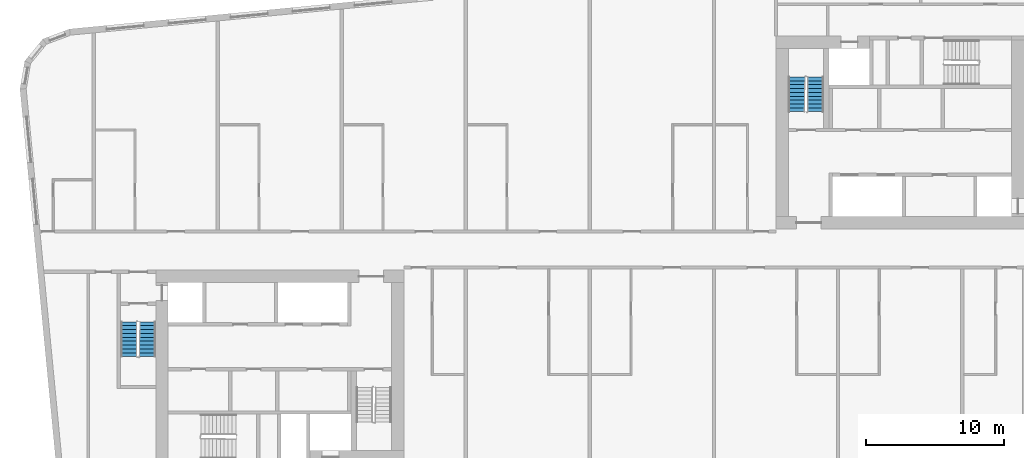
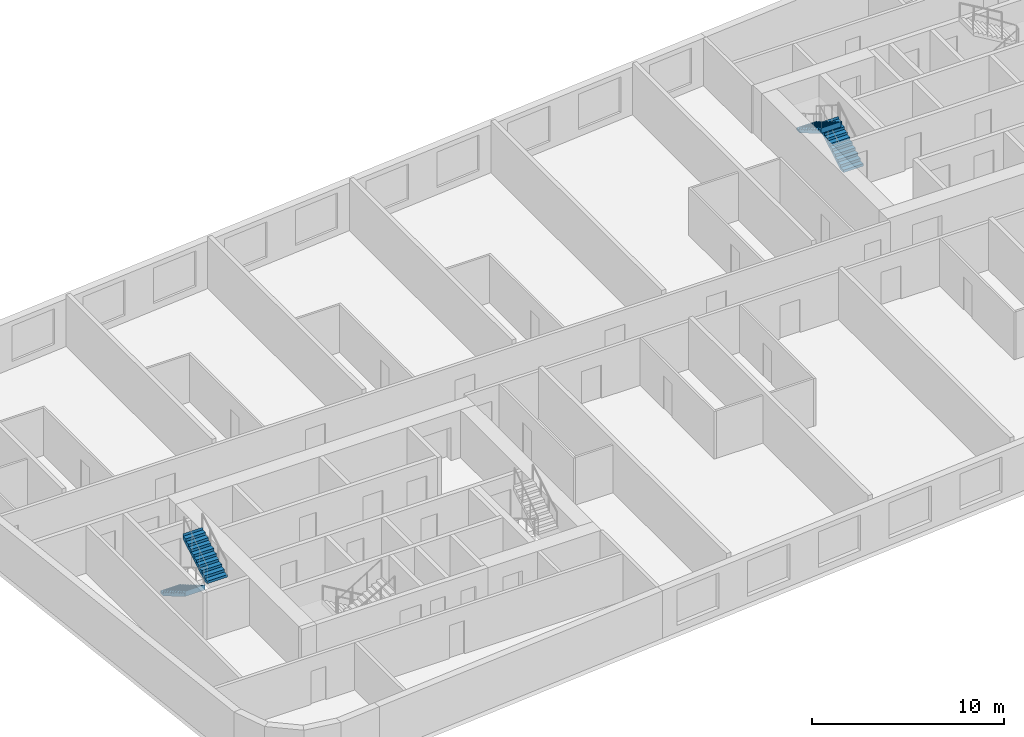
# One storey, part 9 of 11: 4 stair flights, 2 elements without a shape of their own.
"""IFC4 building model written with IfcOpenShell, lengths in metres."""

from ifc_helpers import new_model, si_unit, direction, frame, origin, place, context, subcontext, project, spatial, faceted_brep, material, type_object, element, aggregate, save


model = new_model("IFC4")

# Units and contexts
model_context = context("Model", 3, precision=1e-05, world=origin(), true_north=direction((0.0, 1.0)))
body_context = subcontext(model_context, "Body", "Model", "MODEL_VIEW")
ifc_project = project(units=[si_unit("LENGTHUNIT", "METRE"), si_unit("AREAUNIT", "SQUARE_METRE"), si_unit("VOLUMEUNIT", "CUBIC_METRE"), si_unit("PLANEANGLEUNIT", "RADIAN"), si_unit("MASSUNIT", "GRAM", prefix="KILO")], contexts=[model_context])

# Site, building, storey
site_placement = place(None, origin())
site = spatial("IfcSite", under=ifc_project, at=site_placement, CompositionType="ELEMENT")
building_placement = place(site_placement, origin())
building = spatial("IfcBuilding", under=site, at=building_placement, Name="Kajstack Hotel Tower", CompositionType="ELEMENT")
storey_placement = place(building_placement, frame((0.0, 0.0, 271.800048828125)))
storey = spatial("IfcBuildingStorey", under=building, at=storey_placement, Name="L67", CompositionType="ELEMENT", Elevation=271.800048828125)

# Stair, stair flights
ifc_material = material(Name="Concrete C40/50", Category="concrete")
stair_type = type_object("IfcStairType", Name="Exit stair 1200", PredefinedType="HALF_TURN_STAIR", material=ifc_material)
stair_1_placement = place(storey_placement, origin())
stair_1 = element("IfcStair", 1, at=stair_1_placement, inside=storey, type_object=stair_type, Name="L67 stair W1", PredefinedType="HALF_TURN_STAIR")
stair_flight_type = type_object("IfcStairFlightType", Name="Exit stair flight 1200", PredefinedType="STRAIGHT", material=ifc_material)
stair_flight_1_placement = place(storey_placement, frame((-33.449951171875, -5.25, 0.0), z_axis=(0.0, 0.0, 1.0), x_axis=(0.0, -1.0, 0.0)))
stair_flight_1 = element("IfcStairFlight", 2, at=stair_flight_1_placement, type_object=stair_flight_type, Name="W1 flight 1", NumberOfRisers=10, NumberOfTreads=9, PredefinedType="STRAIGHT", RiserHeight=0.165, TreadLength=0.28, context=body_context, shape_type="Brep", body=[
    faceted_brep([(0.295654296875, -0.60009765625, 0.0), (2.5205078125, -0.60009765625, 1.31103515625), (2.5205078125, -0.60009765625, 1.64990234375), (2.52001953125, -0.60009765625, 1.64990234375), (2.52001953125, -0.60009765625, 1.485107421875), (2.239990234375, -0.60009765625, 1.485107421875), (2.239990234375, -0.60009765625, 1.320068359375), (1.9599609375, -0.60009765625, 1.320068359375), (1.9599609375, -0.60009765625, 1.155029296875), (1.679931640625, -0.60009765625, 1.155029296875), (1.679931640625, -0.60009765625, 0.989990234375), (1.39990234375, -0.60009765625, 0.989990234375), (1.39990234375, -0.60009765625, 0.824951171875), (1.1201171875, -0.60009765625, 0.824951171875), (1.1201171875, -0.60009765625, 0.659912109375), (0.840087890625, -0.60009765625, 0.659912109375), (0.840087890625, -0.60009765625, 0.4951171875), (0.56005859375, -0.60009765625, 0.4951171875), (0.56005859375, -0.60009765625, 0.330078125), (0.280029296875, -0.60009765625, 0.330078125), (0.280029296875, -0.60009765625, 0.1650390625), (-0.00048828125, -0.60009765625, 0.1650390625), (-0.00048828125, -0.60009765625, 0.0), (-0.00048828125, 0.60009765625, 0.0), (-0.00048828125, 0.60009765625, 0.1650390625), (0.280029296875, 0.60009765625, 0.1650390625), (0.280029296875, 0.60009765625, 0.330078125), (0.56005859375, 0.60009765625, 0.330078125), (0.56005859375, 0.60009765625, 0.4951171875), (0.840087890625, 0.60009765625, 0.4951171875), (0.840087890625, 0.60009765625, 0.659912109375), (1.1201171875, 0.60009765625, 0.659912109375), (1.1201171875, 0.60009765625, 0.824951171875), (1.39990234375, 0.60009765625, 0.824951171875), (1.39990234375, 0.60009765625, 0.989990234375), (1.679931640625, 0.60009765625, 0.989990234375), (1.679931640625, 0.60009765625, 1.155029296875), (1.9599609375, 0.60009765625, 1.155029296875), (1.9599609375, 0.60009765625, 1.320068359375), (2.239990234375, 0.60009765625, 1.320068359375), (2.239990234375, 0.60009765625, 1.485107421875), (2.52001953125, 0.60009765625, 1.485107421875), (2.52001953125, 0.60009765625, 1.64990234375), (2.5205078125, 0.60009765625, 1.64990234375), (2.5205078125, 0.60009765625, 1.31103515625), (0.295654296875, 0.60009765625, 0.0), (-0.00048828125, -0.300048828125, 0.1650390625), (-0.00048828125, 0.0, 0.1650390625), (-0.00048828125, 0.300048828125, 0.1650390625), (-0.00048828125, 0.300048828125, 0.0), (-0.00048828125, 0.0, 0.0), (-0.00048828125, -0.300048828125, 0.0), (0.280029296875, -0.300048828125, 0.1650390625), (0.280029296875, 0.0, 0.1650390625), (0.280029296875, 0.300048828125, 0.1650390625), (0.280029296875, -0.300048828125, 0.330078125), (0.280029296875, 0.0, 0.330078125), (0.280029296875, 0.300048828125, 0.330078125), (0.56005859375, -0.300048828125, 0.330078125), (0.56005859375, 0.0, 0.330078125), (0.56005859375, 0.300048828125, 0.330078125), (0.56005859375, -0.300048828125, 0.4951171875), (0.56005859375, 0.0, 0.4951171875), (0.56005859375, 0.300048828125, 0.4951171875), (0.840087890625, -0.300048828125, 0.4951171875), (0.840087890625, 0.0, 0.4951171875), (0.840087890625, 0.300048828125, 0.4951171875), (0.840087890625, -0.300048828125, 0.659912109375), (0.840087890625, 0.0, 0.659912109375), (0.840087890625, 0.300048828125, 0.659912109375), (1.1201171875, -0.300048828125, 0.659912109375), (1.1201171875, 0.0, 0.659912109375), (1.1201171875, 0.300048828125, 0.659912109375), (1.1201171875, -0.300048828125, 0.824951171875), (1.1201171875, 0.0, 0.824951171875), (1.1201171875, 0.300048828125, 0.824951171875), (1.39990234375, -0.300048828125, 0.824951171875), (1.39990234375, 0.0, 0.824951171875), (1.39990234375, 0.300048828125, 0.824951171875), (1.39990234375, -0.300048828125, 0.989990234375), (1.39990234375, 0.0, 0.989990234375), (1.39990234375, 0.300048828125, 0.989990234375), (1.679931640625, -0.300048828125, 0.989990234375), (1.679931640625, 0.0, 0.989990234375), (1.679931640625, 0.300048828125, 0.989990234375), (1.679931640625, -0.300048828125, 1.155029296875), (1.679931640625, 0.0, 1.155029296875), (1.679931640625, 0.300048828125, 1.155029296875), (1.9599609375, -0.300048828125, 1.155029296875), (1.9599609375, 0.0, 1.155029296875), (1.9599609375, 0.300048828125, 1.155029296875), (1.9599609375, -0.300048828125, 1.320068359375), (1.9599609375, 0.0, 1.320068359375), (1.9599609375, 0.300048828125, 1.320068359375), (2.239990234375, -0.300048828125, 1.320068359375), (2.239990234375, 0.0, 1.320068359375), (2.239990234375, 0.300048828125, 1.320068359375), (2.239990234375, -0.300048828125, 1.485107421875), (2.239990234375, 0.0, 1.485107421875), (2.239990234375, 0.300048828125, 1.485107421875), (2.52001953125, -0.300048828125, 1.485107421875), (2.52001953125, 0.0, 1.485107421875), (2.52001953125, 0.300048828125, 1.485107421875), (2.52001953125, -0.300048828125, 1.64990234375), (2.52001953125, 0.0, 1.64990234375), (2.52001953125, 0.300048828125, 1.64990234375), (2.5205078125, -0.300048828125, 1.64990234375), (2.5205078125, 0.0, 1.64990234375), (2.5205078125, 0.300048828125, 1.64990234375), (2.5205078125, -0.300048828125, 1.31103515625), (2.5205078125, 0.0, 1.31103515625), (2.5205078125, 0.300048828125, 1.31103515625), (0.295654296875, -0.300048828125, 0.0), (0.295654296875, 0.0, 0.0), (0.295654296875, 0.300048828125, 0.0)], [[[0, 1, 2, 3, 4, 5, 6, 7, 8, 9, 10, 11, 12, 13, 14, 15, 16, 17, 18, 19, 20, 21, 22]], [[23, 24, 25, 26, 27, 28, 29, 30, 31, 32, 33, 34, 35, 36, 37, 38, 39, 40, 41, 42, 43, 44, 45]], [[21, 46, 47, 48, 24, 23, 49, 50, 51, 22]], [[20, 52, 53, 54, 25, 24, 48, 47, 46, 21]], [[19, 55, 56, 57, 26, 25, 54, 53, 52, 20]], [[18, 58, 59, 60, 27, 26, 57, 56, 55, 19]], [[17, 61, 62, 63, 28, 27, 60, 59, 58, 18]], [[16, 64, 65, 66, 29, 28, 63, 62, 61, 17]], [[15, 67, 68, 69, 30, 29, 66, 65, 64, 16]], [[14, 70, 71, 72, 31, 30, 69, 68, 67, 15]], [[13, 73, 74, 75, 32, 31, 72, 71, 70, 14]], [[12, 76, 77, 78, 33, 32, 75, 74, 73, 13]], [[11, 79, 80, 81, 34, 33, 78, 77, 76, 12]], [[10, 82, 83, 84, 35, 34, 81, 80, 79, 11]], [[9, 85, 86, 87, 36, 35, 84, 83, 82, 10]], [[8, 88, 89, 90, 37, 36, 87, 86, 85, 9]], [[7, 91, 92, 93, 38, 37, 90, 89, 88, 8]], [[6, 94, 95, 96, 39, 38, 93, 92, 91, 7]], [[5, 97, 98, 99, 40, 39, 96, 95, 94, 6]], [[4, 100, 101, 102, 41, 40, 99, 98, 97, 5]], [[3, 103, 104, 105, 42, 41, 102, 101, 100, 4]], [[2, 106, 107, 108, 43, 42, 105, 104, 103, 3]], [[1, 109, 110, 111, 44, 43, 108, 107, 106, 2]], [[0, 112, 113, 114, 45, 44, 111, 110, 109, 1]], [[22, 51, 50, 49, 23, 45, 114, 113, 112, 0]]]),
])
stair_flight_2_placement = place(storey_placement, frame((-32.10009765625, -7.77001953125, 1.64990234375), z_axis=(0.0, 0.0, 1.0), x_axis=(0.0, 1.0, 0.0)))
stair_flight_2 = element("IfcStairFlight", 3, at=stair_flight_2_placement, type_object=stair_flight_type, Name="W1 flight 2", NumberOfRisers=10, NumberOfTreads=9, PredefinedType="STRAIGHT", RiserHeight=0.165, TreadLength=0.28, context=body_context, shape_type="Brep", body=[
    faceted_brep([(0.295654296875, -0.60009765625, 0.0), (2.5205078125, -0.60009765625, 1.31103515625), (2.5205078125, -0.60009765625, 1.64990234375), (2.52001953125, -0.60009765625, 1.64990234375), (2.52001953125, -0.60009765625, 1.485107421875), (2.239990234375, -0.60009765625, 1.485107421875), (2.239990234375, -0.60009765625, 1.320068359375), (1.9599609375, -0.60009765625, 1.320068359375), (1.9599609375, -0.60009765625, 1.155029296875), (1.679931640625, -0.60009765625, 1.155029296875), (1.679931640625, -0.60009765625, 0.989990234375), (1.39990234375, -0.60009765625, 0.989990234375), (1.39990234375, -0.60009765625, 0.824951171875), (1.1201171875, -0.60009765625, 0.824951171875), (1.1201171875, -0.60009765625, 0.659912109375), (0.840087890625, -0.60009765625, 0.659912109375), (0.840087890625, -0.60009765625, 0.4951171875), (0.56005859375, -0.60009765625, 0.4951171875), (0.56005859375, -0.60009765625, 0.330078125), (0.280029296875, -0.60009765625, 0.330078125), (0.280029296875, -0.60009765625, 0.1650390625), (-0.00048828125, -0.60009765625, 0.1650390625), (-0.00048828125, -0.60009765625, 0.0), (-0.00048828125, 0.60009765625, 0.0), (-0.00048828125, 0.60009765625, 0.1650390625), (0.280029296875, 0.60009765625, 0.1650390625), (0.280029296875, 0.60009765625, 0.330078125), (0.56005859375, 0.60009765625, 0.330078125), (0.56005859375, 0.60009765625, 0.4951171875), (0.840087890625, 0.60009765625, 0.4951171875), (0.840087890625, 0.60009765625, 0.659912109375), (1.1201171875, 0.60009765625, 0.659912109375), (1.1201171875, 0.60009765625, 0.824951171875), (1.39990234375, 0.60009765625, 0.824951171875), (1.39990234375, 0.60009765625, 0.989990234375), (1.679931640625, 0.60009765625, 0.989990234375), (1.679931640625, 0.60009765625, 1.155029296875), (1.9599609375, 0.60009765625, 1.155029296875), (1.9599609375, 0.60009765625, 1.320068359375), (2.239990234375, 0.60009765625, 1.320068359375), (2.239990234375, 0.60009765625, 1.485107421875), (2.52001953125, 0.60009765625, 1.485107421875), (2.52001953125, 0.60009765625, 1.64990234375), (2.5205078125, 0.60009765625, 1.64990234375), (2.5205078125, 0.60009765625, 1.31103515625), (0.295654296875, 0.60009765625, 0.0), (-0.00048828125, -0.300048828125, 0.1650390625), (-0.00048828125, 0.0, 0.1650390625), (-0.00048828125, 0.300048828125, 0.1650390625), (-0.00048828125, 0.300048828125, 0.0), (-0.00048828125, 0.0, 0.0), (-0.00048828125, -0.300048828125, 0.0), (0.280029296875, -0.300048828125, 0.1650390625), (0.280029296875, 0.0, 0.1650390625), (0.280029296875, 0.300048828125, 0.1650390625), (0.280029296875, -0.300048828125, 0.330078125), (0.280029296875, 0.0, 0.330078125), (0.280029296875, 0.300048828125, 0.330078125), (0.56005859375, -0.300048828125, 0.330078125), (0.56005859375, 0.0, 0.330078125), (0.56005859375, 0.300048828125, 0.330078125), (0.56005859375, -0.300048828125, 0.4951171875), (0.56005859375, 0.0, 0.4951171875), (0.56005859375, 0.300048828125, 0.4951171875), (0.840087890625, -0.300048828125, 0.4951171875), (0.840087890625, 0.0, 0.4951171875), (0.840087890625, 0.300048828125, 0.4951171875), (0.840087890625, -0.300048828125, 0.659912109375), (0.840087890625, 0.0, 0.659912109375), (0.840087890625, 0.300048828125, 0.659912109375), (1.1201171875, -0.300048828125, 0.659912109375), (1.1201171875, 0.0, 0.659912109375), (1.1201171875, 0.300048828125, 0.659912109375), (1.1201171875, -0.300048828125, 0.824951171875), (1.1201171875, 0.0, 0.824951171875), (1.1201171875, 0.300048828125, 0.824951171875), (1.39990234375, -0.300048828125, 0.824951171875), (1.39990234375, 0.0, 0.824951171875), (1.39990234375, 0.300048828125, 0.824951171875), (1.39990234375, -0.300048828125, 0.989990234375), (1.39990234375, 0.0, 0.989990234375), (1.39990234375, 0.300048828125, 0.989990234375), (1.679931640625, -0.300048828125, 0.989990234375), (1.679931640625, 0.0, 0.989990234375), (1.679931640625, 0.300048828125, 0.989990234375), (1.679931640625, -0.300048828125, 1.155029296875), (1.679931640625, 0.0, 1.155029296875), (1.679931640625, 0.300048828125, 1.155029296875), (1.9599609375, -0.300048828125, 1.155029296875), (1.9599609375, 0.0, 1.155029296875), (1.9599609375, 0.300048828125, 1.155029296875), (1.9599609375, -0.300048828125, 1.320068359375), (1.9599609375, 0.0, 1.320068359375), (1.9599609375, 0.300048828125, 1.320068359375), (2.239990234375, -0.300048828125, 1.320068359375), (2.239990234375, 0.0, 1.320068359375), (2.239990234375, 0.300048828125, 1.320068359375), (2.239990234375, -0.300048828125, 1.485107421875), (2.239990234375, 0.0, 1.485107421875), (2.239990234375, 0.300048828125, 1.485107421875), (2.52001953125, -0.300048828125, 1.485107421875), (2.52001953125, 0.0, 1.485107421875), (2.52001953125, 0.300048828125, 1.485107421875), (2.52001953125, -0.300048828125, 1.64990234375), (2.52001953125, 0.0, 1.64990234375), (2.52001953125, 0.300048828125, 1.64990234375), (2.5205078125, -0.300048828125, 1.64990234375), (2.5205078125, 0.0, 1.64990234375), (2.5205078125, 0.300048828125, 1.64990234375), (2.5205078125, -0.300048828125, 1.31103515625), (2.5205078125, 0.0, 1.31103515625), (2.5205078125, 0.300048828125, 1.31103515625), (0.295654296875, -0.300048828125, 0.0), (0.295654296875, 0.0, 0.0), (0.295654296875, 0.300048828125, 0.0)], [[[0, 1, 2, 3, 4, 5, 6, 7, 8, 9, 10, 11, 12, 13, 14, 15, 16, 17, 18, 19, 20, 21, 22]], [[23, 24, 25, 26, 27, 28, 29, 30, 31, 32, 33, 34, 35, 36, 37, 38, 39, 40, 41, 42, 43, 44, 45]], [[21, 46, 47, 48, 24, 23, 49, 50, 51, 22]], [[20, 52, 53, 54, 25, 24, 48, 47, 46, 21]], [[19, 55, 56, 57, 26, 25, 54, 53, 52, 20]], [[18, 58, 59, 60, 27, 26, 57, 56, 55, 19]], [[17, 61, 62, 63, 28, 27, 60, 59, 58, 18]], [[16, 64, 65, 66, 29, 28, 63, 62, 61, 17]], [[15, 67, 68, 69, 30, 29, 66, 65, 64, 16]], [[14, 70, 71, 72, 31, 30, 69, 68, 67, 15]], [[13, 73, 74, 75, 32, 31, 72, 71, 70, 14]], [[12, 76, 77, 78, 33, 32, 75, 74, 73, 13]], [[11, 79, 80, 81, 34, 33, 78, 77, 76, 12]], [[10, 82, 83, 84, 35, 34, 81, 80, 79, 11]], [[9, 85, 86, 87, 36, 35, 84, 83, 82, 10]], [[8, 88, 89, 90, 37, 36, 87, 86, 85, 9]], [[7, 91, 92, 93, 38, 37, 90, 89, 88, 8]], [[6, 94, 95, 96, 39, 38, 93, 92, 91, 7]], [[5, 97, 98, 99, 40, 39, 96, 95, 94, 6]], [[4, 100, 101, 102, 41, 40, 99, 98, 97, 5]], [[3, 103, 104, 105, 42, 41, 102, 101, 100, 4]], [[2, 106, 107, 108, 43, 42, 105, 104, 103, 3]], [[1, 109, 110, 111, 44, 43, 108, 107, 106, 2]], [[0, 112, 113, 114, 45, 44, 111, 110, 109, 1]], [[22, 51, 50, 49, 23, 45, 114, 113, 112, 0]]]),
])
aggregate(stair_1, [stair_flight_1, stair_flight_2])

stair_2_placement = place(storey_placement, origin())
stair_2 = element("IfcStair", 4, at=stair_2_placement, inside=storey, type_object=stair_type, Name="L67 stair E2", PredefinedType="HALF_TURN_STAIR")
stair_flight_3_placement = place(storey_placement, frame((16.35009765625, 10.0, 0.0), z_axis=(0.0, 0.0, 1.0), x_axis=(0.0, 1.0, 0.0)))
stair_flight_3 = element("IfcStairFlight", 5, at=stair_flight_3_placement, type_object=stair_flight_type, Name="E2 flight 1", NumberOfRisers=10, NumberOfTreads=9, PredefinedType="STRAIGHT", RiserHeight=0.165, TreadLength=0.28, context=body_context, shape_type="Brep", body=[
    faceted_brep([(0.295654296875, -0.60009765625, 0.0), (2.5205078125, -0.60009765625, 1.31103515625), (2.5205078125, -0.60009765625, 1.64990234375), (2.52001953125, -0.60009765625, 1.64990234375), (2.52001953125, -0.60009765625, 1.485107421875), (2.239990234375, -0.60009765625, 1.485107421875), (2.239990234375, -0.60009765625, 1.320068359375), (1.9599609375, -0.60009765625, 1.320068359375), (1.9599609375, -0.60009765625, 1.155029296875), (1.679931640625, -0.60009765625, 1.155029296875), (1.679931640625, -0.60009765625, 0.989990234375), (1.39990234375, -0.60009765625, 0.989990234375), (1.39990234375, -0.60009765625, 0.824951171875), (1.1201171875, -0.60009765625, 0.824951171875), (1.1201171875, -0.60009765625, 0.659912109375), (0.840087890625, -0.60009765625, 0.659912109375), (0.840087890625, -0.60009765625, 0.4951171875), (0.56005859375, -0.60009765625, 0.4951171875), (0.56005859375, -0.60009765625, 0.330078125), (0.280029296875, -0.60009765625, 0.330078125), (0.280029296875, -0.60009765625, 0.1650390625), (-0.00048828125, -0.60009765625, 0.1650390625), (-0.00048828125, -0.60009765625, 0.0), (-0.00048828125, 0.60009765625, 0.0), (-0.00048828125, 0.60009765625, 0.1650390625), (0.280029296875, 0.60009765625, 0.1650390625), (0.280029296875, 0.60009765625, 0.330078125), (0.56005859375, 0.60009765625, 0.330078125), (0.56005859375, 0.60009765625, 0.4951171875), (0.840087890625, 0.60009765625, 0.4951171875), (0.840087890625, 0.60009765625, 0.659912109375), (1.1201171875, 0.60009765625, 0.659912109375), (1.1201171875, 0.60009765625, 0.824951171875), (1.39990234375, 0.60009765625, 0.824951171875), (1.39990234375, 0.60009765625, 0.989990234375), (1.679931640625, 0.60009765625, 0.989990234375), (1.679931640625, 0.60009765625, 1.155029296875), (1.9599609375, 0.60009765625, 1.155029296875), (1.9599609375, 0.60009765625, 1.320068359375), (2.239990234375, 0.60009765625, 1.320068359375), (2.239990234375, 0.60009765625, 1.485107421875), (2.52001953125, 0.60009765625, 1.485107421875), (2.52001953125, 0.60009765625, 1.64990234375), (2.5205078125, 0.60009765625, 1.64990234375), (2.5205078125, 0.60009765625, 1.31103515625), (0.295654296875, 0.60009765625, 0.0), (-0.00048828125, -0.300048828125, 0.1650390625), (-0.00048828125, 0.0, 0.1650390625), (-0.00048828125, 0.300048828125, 0.1650390625), (-0.00048828125, 0.300048828125, 0.0), (-0.00048828125, 0.0, 0.0), (-0.00048828125, -0.300048828125, 0.0), (0.280029296875, -0.300048828125, 0.1650390625), (0.280029296875, 0.0, 0.1650390625), (0.280029296875, 0.300048828125, 0.1650390625), (0.280029296875, -0.300048828125, 0.330078125), (0.280029296875, 0.0, 0.330078125), (0.280029296875, 0.300048828125, 0.330078125), (0.56005859375, -0.300048828125, 0.330078125), (0.56005859375, 0.0, 0.330078125), (0.56005859375, 0.300048828125, 0.330078125), (0.56005859375, -0.300048828125, 0.4951171875), (0.56005859375, 0.0, 0.4951171875), (0.56005859375, 0.300048828125, 0.4951171875), (0.840087890625, -0.300048828125, 0.4951171875), (0.840087890625, 0.0, 0.4951171875), (0.840087890625, 0.300048828125, 0.4951171875), (0.840087890625, -0.300048828125, 0.659912109375), (0.840087890625, 0.0, 0.659912109375), (0.840087890625, 0.300048828125, 0.659912109375), (1.1201171875, -0.300048828125, 0.659912109375), (1.1201171875, 0.0, 0.659912109375), (1.1201171875, 0.300048828125, 0.659912109375), (1.1201171875, -0.300048828125, 0.824951171875), (1.1201171875, 0.0, 0.824951171875), (1.1201171875, 0.300048828125, 0.824951171875), (1.39990234375, -0.300048828125, 0.824951171875), (1.39990234375, 0.0, 0.824951171875), (1.39990234375, 0.300048828125, 0.824951171875), (1.39990234375, -0.300048828125, 0.989990234375), (1.39990234375, 0.0, 0.989990234375), (1.39990234375, 0.300048828125, 0.989990234375), (1.679931640625, -0.300048828125, 0.989990234375), (1.679931640625, 0.0, 0.989990234375), (1.679931640625, 0.300048828125, 0.989990234375), (1.679931640625, -0.300048828125, 1.155029296875), (1.679931640625, 0.0, 1.155029296875), (1.679931640625, 0.300048828125, 1.155029296875), (1.9599609375, -0.300048828125, 1.155029296875), (1.9599609375, 0.0, 1.155029296875), (1.9599609375, 0.300048828125, 1.155029296875), (1.9599609375, -0.300048828125, 1.320068359375), (1.9599609375, 0.0, 1.320068359375), (1.9599609375, 0.300048828125, 1.320068359375), (2.239990234375, -0.300048828125, 1.320068359375), (2.239990234375, 0.0, 1.320068359375), (2.239990234375, 0.300048828125, 1.320068359375), (2.239990234375, -0.300048828125, 1.485107421875), (2.239990234375, 0.0, 1.485107421875), (2.239990234375, 0.300048828125, 1.485107421875), (2.52001953125, -0.300048828125, 1.485107421875), (2.52001953125, 0.0, 1.485107421875), (2.52001953125, 0.300048828125, 1.485107421875), (2.52001953125, -0.300048828125, 1.64990234375), (2.52001953125, 0.0, 1.64990234375), (2.52001953125, 0.300048828125, 1.64990234375), (2.5205078125, -0.300048828125, 1.64990234375), (2.5205078125, 0.0, 1.64990234375), (2.5205078125, 0.300048828125, 1.64990234375), (2.5205078125, -0.300048828125, 1.31103515625), (2.5205078125, 0.0, 1.31103515625), (2.5205078125, 0.300048828125, 1.31103515625), (0.295654296875, -0.300048828125, 0.0), (0.295654296875, 0.0, 0.0), (0.295654296875, 0.300048828125, 0.0)], [[[0, 1, 2, 3, 4, 5, 6, 7, 8, 9, 10, 11, 12, 13, 14, 15, 16, 17, 18, 19, 20, 21, 22]], [[23, 24, 25, 26, 27, 28, 29, 30, 31, 32, 33, 34, 35, 36, 37, 38, 39, 40, 41, 42, 43, 44, 45]], [[21, 46, 47, 48, 24, 23, 49, 50, 51, 22]], [[20, 52, 53, 54, 25, 24, 48, 47, 46, 21]], [[19, 55, 56, 57, 26, 25, 54, 53, 52, 20]], [[18, 58, 59, 60, 27, 26, 57, 56, 55, 19]], [[17, 61, 62, 63, 28, 27, 60, 59, 58, 18]], [[16, 64, 65, 66, 29, 28, 63, 62, 61, 17]], [[15, 67, 68, 69, 30, 29, 66, 65, 64, 16]], [[14, 70, 71, 72, 31, 30, 69, 68, 67, 15]], [[13, 73, 74, 75, 32, 31, 72, 71, 70, 14]], [[12, 76, 77, 78, 33, 32, 75, 74, 73, 13]], [[11, 79, 80, 81, 34, 33, 78, 77, 76, 12]], [[10, 82, 83, 84, 35, 34, 81, 80, 79, 11]], [[9, 85, 86, 87, 36, 35, 84, 83, 82, 10]], [[8, 88, 89, 90, 37, 36, 87, 86, 85, 9]], [[7, 91, 92, 93, 38, 37, 90, 89, 88, 8]], [[6, 94, 95, 96, 39, 38, 93, 92, 91, 7]], [[5, 97, 98, 99, 40, 39, 96, 95, 94, 6]], [[4, 100, 101, 102, 41, 40, 99, 98, 97, 5]], [[3, 103, 104, 105, 42, 41, 102, 101, 100, 4]], [[2, 106, 107, 108, 43, 42, 105, 104, 103, 3]], [[1, 109, 110, 111, 44, 43, 108, 107, 106, 2]], [[0, 112, 113, 114, 45, 44, 111, 110, 109, 1]], [[22, 51, 50, 49, 23, 45, 114, 113, 112, 0]]]),
])
stair_flight_4_placement = place(storey_placement, frame((15.0, 12.52001953125, 1.64990234375), z_axis=(0.0, 0.0, 1.0), x_axis=(0.0, -1.0, 0.0)))
stair_flight_4 = element("IfcStairFlight", 6, at=stair_flight_4_placement, type_object=stair_flight_type, Name="E2 flight 2", NumberOfRisers=10, NumberOfTreads=9, PredefinedType="STRAIGHT", RiserHeight=0.165, TreadLength=0.28, context=body_context, shape_type="Brep", body=[
    faceted_brep([(0.295654296875, -0.60009765625, 0.0), (2.5205078125, -0.60009765625, 1.31103515625), (2.5205078125, -0.60009765625, 1.64990234375), (2.52001953125, -0.60009765625, 1.64990234375), (2.52001953125, -0.60009765625, 1.485107421875), (2.239990234375, -0.60009765625, 1.485107421875), (2.239990234375, -0.60009765625, 1.320068359375), (1.9599609375, -0.60009765625, 1.320068359375), (1.9599609375, -0.60009765625, 1.155029296875), (1.679931640625, -0.60009765625, 1.155029296875), (1.679931640625, -0.60009765625, 0.989990234375), (1.39990234375, -0.60009765625, 0.989990234375), (1.39990234375, -0.60009765625, 0.824951171875), (1.1201171875, -0.60009765625, 0.824951171875), (1.1201171875, -0.60009765625, 0.659912109375), (0.840087890625, -0.60009765625, 0.659912109375), (0.840087890625, -0.60009765625, 0.4951171875), (0.56005859375, -0.60009765625, 0.4951171875), (0.56005859375, -0.60009765625, 0.330078125), (0.280029296875, -0.60009765625, 0.330078125), (0.280029296875, -0.60009765625, 0.1650390625), (-0.00048828125, -0.60009765625, 0.1650390625), (-0.00048828125, -0.60009765625, 0.0), (-0.00048828125, 0.60009765625, 0.0), (-0.00048828125, 0.60009765625, 0.1650390625), (0.280029296875, 0.60009765625, 0.1650390625), (0.280029296875, 0.60009765625, 0.330078125), (0.56005859375, 0.60009765625, 0.330078125), (0.56005859375, 0.60009765625, 0.4951171875), (0.840087890625, 0.60009765625, 0.4951171875), (0.840087890625, 0.60009765625, 0.659912109375), (1.1201171875, 0.60009765625, 0.659912109375), (1.1201171875, 0.60009765625, 0.824951171875), (1.39990234375, 0.60009765625, 0.824951171875), (1.39990234375, 0.60009765625, 0.989990234375), (1.679931640625, 0.60009765625, 0.989990234375), (1.679931640625, 0.60009765625, 1.155029296875), (1.9599609375, 0.60009765625, 1.155029296875), (1.9599609375, 0.60009765625, 1.320068359375), (2.239990234375, 0.60009765625, 1.320068359375), (2.239990234375, 0.60009765625, 1.485107421875), (2.52001953125, 0.60009765625, 1.485107421875), (2.52001953125, 0.60009765625, 1.64990234375), (2.5205078125, 0.60009765625, 1.64990234375), (2.5205078125, 0.60009765625, 1.31103515625), (0.295654296875, 0.60009765625, 0.0), (-0.00048828125, -0.300048828125, 0.1650390625), (-0.00048828125, 0.0, 0.1650390625), (-0.00048828125, 0.300048828125, 0.1650390625), (-0.00048828125, 0.300048828125, 0.0), (-0.00048828125, 0.0, 0.0), (-0.00048828125, -0.300048828125, 0.0), (0.280029296875, -0.300048828125, 0.1650390625), (0.280029296875, 0.0, 0.1650390625), (0.280029296875, 0.300048828125, 0.1650390625), (0.280029296875, -0.300048828125, 0.330078125), (0.280029296875, 0.0, 0.330078125), (0.280029296875, 0.300048828125, 0.330078125), (0.56005859375, -0.300048828125, 0.330078125), (0.56005859375, 0.0, 0.330078125), (0.56005859375, 0.300048828125, 0.330078125), (0.56005859375, -0.300048828125, 0.4951171875), (0.56005859375, 0.0, 0.4951171875), (0.56005859375, 0.300048828125, 0.4951171875), (0.840087890625, -0.300048828125, 0.4951171875), (0.840087890625, 0.0, 0.4951171875), (0.840087890625, 0.300048828125, 0.4951171875), (0.840087890625, -0.300048828125, 0.659912109375), (0.840087890625, 0.0, 0.659912109375), (0.840087890625, 0.300048828125, 0.659912109375), (1.1201171875, -0.300048828125, 0.659912109375), (1.1201171875, 0.0, 0.659912109375), (1.1201171875, 0.300048828125, 0.659912109375), (1.1201171875, -0.300048828125, 0.824951171875), (1.1201171875, 0.0, 0.824951171875), (1.1201171875, 0.300048828125, 0.824951171875), (1.39990234375, -0.300048828125, 0.824951171875), (1.39990234375, 0.0, 0.824951171875), (1.39990234375, 0.300048828125, 0.824951171875), (1.39990234375, -0.300048828125, 0.989990234375), (1.39990234375, 0.0, 0.989990234375), (1.39990234375, 0.300048828125, 0.989990234375), (1.679931640625, -0.300048828125, 0.989990234375), (1.679931640625, 0.0, 0.989990234375), (1.679931640625, 0.300048828125, 0.989990234375), (1.679931640625, -0.300048828125, 1.155029296875), (1.679931640625, 0.0, 1.155029296875), (1.679931640625, 0.300048828125, 1.155029296875), (1.9599609375, -0.300048828125, 1.155029296875), (1.9599609375, 0.0, 1.155029296875), (1.9599609375, 0.300048828125, 1.155029296875), (1.9599609375, -0.300048828125, 1.320068359375), (1.9599609375, 0.0, 1.320068359375), (1.9599609375, 0.300048828125, 1.320068359375), (2.239990234375, -0.300048828125, 1.320068359375), (2.239990234375, 0.0, 1.320068359375), (2.239990234375, 0.300048828125, 1.320068359375), (2.239990234375, -0.300048828125, 1.485107421875), (2.239990234375, 0.0, 1.485107421875), (2.239990234375, 0.300048828125, 1.485107421875), (2.52001953125, -0.300048828125, 1.485107421875), (2.52001953125, 0.0, 1.485107421875), (2.52001953125, 0.300048828125, 1.485107421875), (2.52001953125, -0.300048828125, 1.64990234375), (2.52001953125, 0.0, 1.64990234375), (2.52001953125, 0.300048828125, 1.64990234375), (2.5205078125, -0.300048828125, 1.64990234375), (2.5205078125, 0.0, 1.64990234375), (2.5205078125, 0.300048828125, 1.64990234375), (2.5205078125, -0.300048828125, 1.31103515625), (2.5205078125, 0.0, 1.31103515625), (2.5205078125, 0.300048828125, 1.31103515625), (0.295654296875, -0.300048828125, 0.0), (0.295654296875, 0.0, 0.0), (0.295654296875, 0.300048828125, 0.0)], [[[0, 1, 2, 3, 4, 5, 6, 7, 8, 9, 10, 11, 12, 13, 14, 15, 16, 17, 18, 19, 20, 21, 22]], [[23, 24, 25, 26, 27, 28, 29, 30, 31, 32, 33, 34, 35, 36, 37, 38, 39, 40, 41, 42, 43, 44, 45]], [[21, 46, 47, 48, 24, 23, 49, 50, 51, 22]], [[20, 52, 53, 54, 25, 24, 48, 47, 46, 21]], [[19, 55, 56, 57, 26, 25, 54, 53, 52, 20]], [[18, 58, 59, 60, 27, 26, 57, 56, 55, 19]], [[17, 61, 62, 63, 28, 27, 60, 59, 58, 18]], [[16, 64, 65, 66, 29, 28, 63, 62, 61, 17]], [[15, 67, 68, 69, 30, 29, 66, 65, 64, 16]], [[14, 70, 71, 72, 31, 30, 69, 68, 67, 15]], [[13, 73, 74, 75, 32, 31, 72, 71, 70, 14]], [[12, 76, 77, 78, 33, 32, 75, 74, 73, 13]], [[11, 79, 80, 81, 34, 33, 78, 77, 76, 12]], [[10, 82, 83, 84, 35, 34, 81, 80, 79, 11]], [[9, 85, 86, 87, 36, 35, 84, 83, 82, 10]], [[8, 88, 89, 90, 37, 36, 87, 86, 85, 9]], [[7, 91, 92, 93, 38, 37, 90, 89, 88, 8]], [[6, 94, 95, 96, 39, 38, 93, 92, 91, 7]], [[5, 97, 98, 99, 40, 39, 96, 95, 94, 6]], [[4, 100, 101, 102, 41, 40, 99, 98, 97, 5]], [[3, 103, 104, 105, 42, 41, 102, 101, 100, 4]], [[2, 106, 107, 108, 43, 42, 105, 104, 103, 3]], [[1, 109, 110, 111, 44, 43, 108, 107, 106, 2]], [[0, 112, 113, 114, 45, 44, 111, 110, 109, 1]], [[22, 51, 50, 49, 23, 45, 114, 113, 112, 0]]]),
])
aggregate(stair_2, [stair_flight_3, stair_flight_4])

save(model, "model.ifc")
